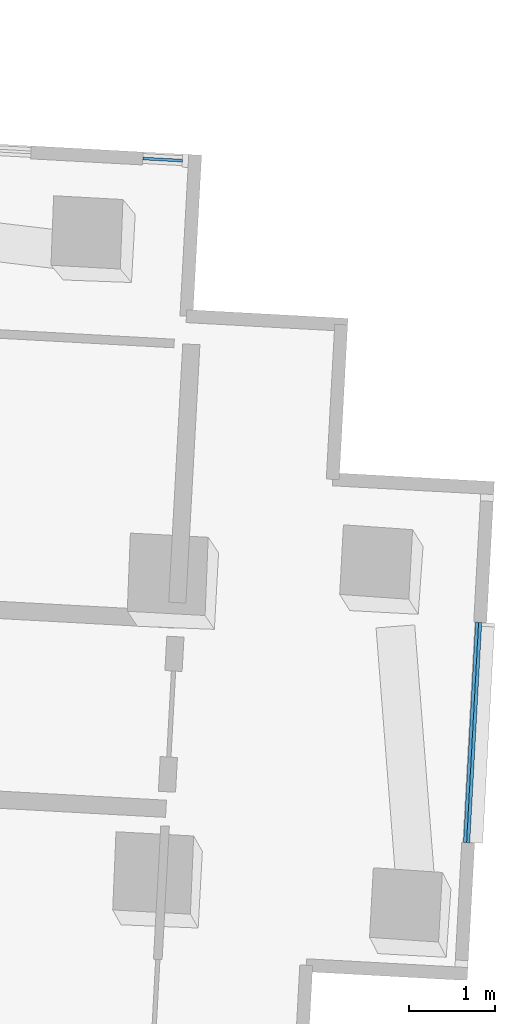
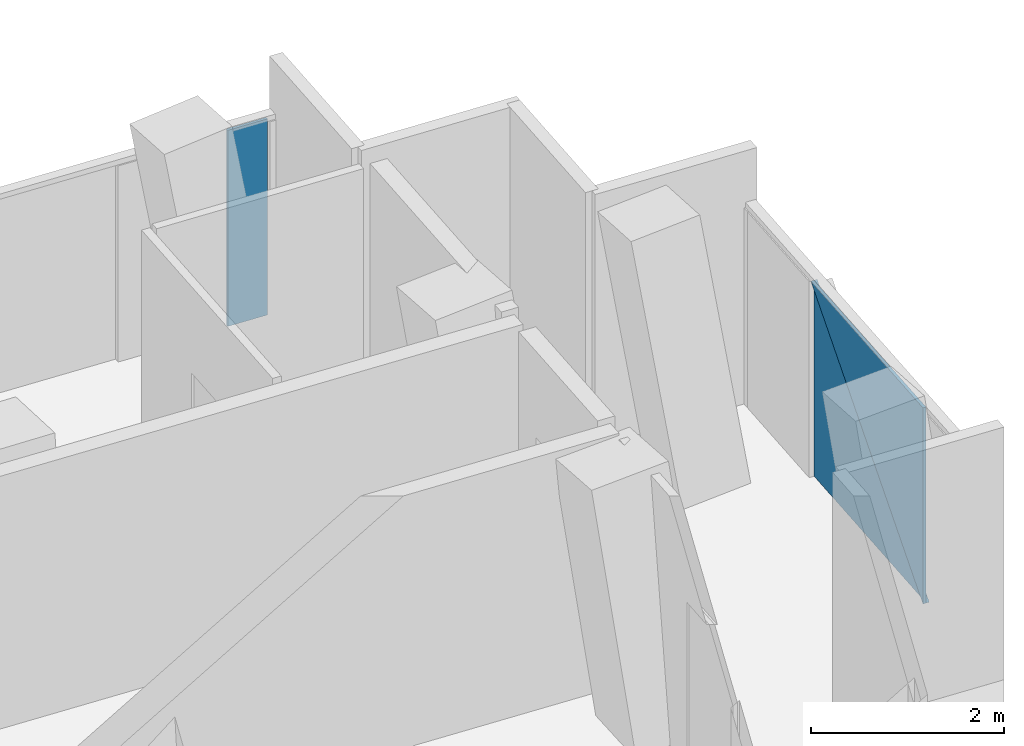
# One storey, part 13 of 23: 3 plates, 2 elements without a shape of their own.
"""IFC4 building model written with IfcOpenShell, lengths in metres."""

from ifc_helpers import new_model, si_unit, direction, frame, origin, origin_2d, place, context, subcontext, project, spatial, polyline, rectangle, outline, extrude, material, layer, layer_set, type_object, element, aggregate, save


model = new_model("IFC4")

# Units and contexts
model_context = context("Model", 3, precision=1e-05, world=origin(), true_north=direction((0.0, 1.0)))
body_context = subcontext(model_context, "Body", "Model", "MODEL_VIEW")
ifc_project = project(units=[si_unit("LENGTHUNIT", "METRE"), si_unit("AREAUNIT", "SQUARE_METRE"), si_unit("VOLUMEUNIT", "CUBIC_METRE"), si_unit("PLANEANGLEUNIT", "RADIAN"), si_unit("MASSUNIT", "GRAM", prefix="KILO")], contexts=[model_context])

# Site, building, storey
site_placement = place(None, origin())
site = spatial("IfcSite", under=ifc_project, at=site_placement, CompositionType="ELEMENT")
building_placement = place(site_placement, origin())
building = spatial("IfcBuilding", under=site, at=building_placement, Name="Verdalira Terraces Hotel", CompositionType="ELEMENT")
storey_placement = place(building_placement, frame((0.0, 0.0, 143.5)))
storey = spatial("IfcBuildingStorey", under=building, at=storey_placement, Name="L34", CompositionType="ELEMENT", Elevation=143.5)

# Curtain wall, plate
ifc_material_1 = material(Name="Clear glass", Category="glass")
ifc_layer_1 = layer(ifc_material_1, 0.14990234375)
ifc_layer_set_1 = layer_set([ifc_layer_1], Name="CW2 curtain wall")
curtain_wall_type_1 = type_object("IfcCurtainWallType", Name="CW2 curtain wall", PredefinedType="NOTDEFINED", material=ifc_layer_set_1)
curtain_wall_1_placement = place(storey_placement, origin())
curtain_wall_1 = element("IfcCurtainWall", 1, at=curtain_wall_1_placement, inside=storey, type_object=curtain_wall_type_1, Name="CW2 curtain wall L34 edge 38", PredefinedType="NOTDEFINED")
ifc_material_2 = material(Name="Clear glass", Category="glass")
ifc_layer_2 = layer(ifc_material_2, 0.031982421875)
ifc_layer_set_2 = layer_set([ifc_layer_2], Name="CW2 glass unit 32")
plate_type_1 = type_object("IfcPlateType", Name="CW2 glass unit 32", PredefinedType="CURTAIN_PANEL", material=ifc_layer_set_2)
plate_1_placement = place(storey_placement, frame((29.776611, 4.811523, 0.0), z_axis=(0.0, 0.0, 1.0), x_axis=(-0.998517732, 0.054427365, 0.0)))
plate_1 = element("IfcPlate", 2, at=plate_1_placement, type_object=plate_type_1, Name="CW2 glass unit", PredefinedType="CURTAIN_PANEL", context=body_context, shape_type="SweptSolid", body=[
    extrude(rectangle(XDim=0.459961, YDim=0.031982, at=origin_2d()), origin(), (0.0, 0.0, 1.0), 2.475098),
])
aggregate(curtain_wall_1, [plate_1])

# Curtain wall, plates
ifc_material_3 = material(Name="Clear glass", Category="glass")
ifc_layer_3 = layer(ifc_material_3, 0.14990234375)
ifc_layer_set_3 = layer_set([ifc_layer_3], Name="CW3 curtain wall")
curtain_wall_type_2 = type_object("IfcCurtainWallType", Name="CW3 curtain wall", PredefinedType="NOTDEFINED", material=ifc_layer_set_3)
curtain_wall_2_placement = place(storey_placement, origin())
curtain_wall_2 = element("IfcCurtainWall", 3, at=curtain_wall_2_placement, inside=storey, type_object=curtain_wall_type_2, Name="CW3 curtain wall L34 edge 33", PredefinedType="NOTDEFINED")
ifc_material_4 = material(Name="Clear glass", Category="glass")
ifc_layer_4 = layer(ifc_material_4, 0.035888671875)
ifc_layer_set_4 = layer_set([ifc_layer_4], Name="CW3 glass unit 36")
plate_type_2 = type_object("IfcPlateType", Name="CW3 glass unit 36", PredefinedType="CURTAIN_PANEL", material=ifc_layer_set_4)
plate_2_placement = place(storey_placement, frame((33.377197, -1.84082, 1.237549), z_axis=(0.998517732, -0.054427365, 0.0), x_axis=(0.054427365, 0.998517732, 0.0)))
plate_2 = element("IfcPlate", 4, at=plate_2_placement, type_object=plate_type_2, Name="CW3 glass unit", PredefinedType="CURTAIN_PANEL", context=body_context, shape_type="SweptSolid", body=[
    extrude(outline(polyline([(-1.281494, -1.237549), (1.281494, -1.237549), (1.281494, 1.237549), (-1.281494, -1.237549)])), origin(), (0.0, 0.0, 1.0), 0.035889),
])
plate_3_placement = place(storey_placement, frame((33.340088, -1.838867, 1.237549), z_axis=(0.998517732, -0.054427365, 0.0), x_axis=(0.054427365, 0.998517732, 0.0)))
plate_3 = element("IfcPlate", 5, at=plate_3_placement, type_object=plate_type_2, Name="CW3 glass unit", PredefinedType="CURTAIN_PANEL", context=body_context, shape_type="SweptSolid", body=[
    extrude(outline(polyline([(-1.281494, -1.237549), (1.281494, 1.237549), (-1.281494, 1.237549), (-1.281494, -1.237549)])), origin(), (0.0, 0.0, 1.0), 0.035889),
])
aggregate(curtain_wall_2, [plate_2, plate_3])

save(model, "model.ifc")
